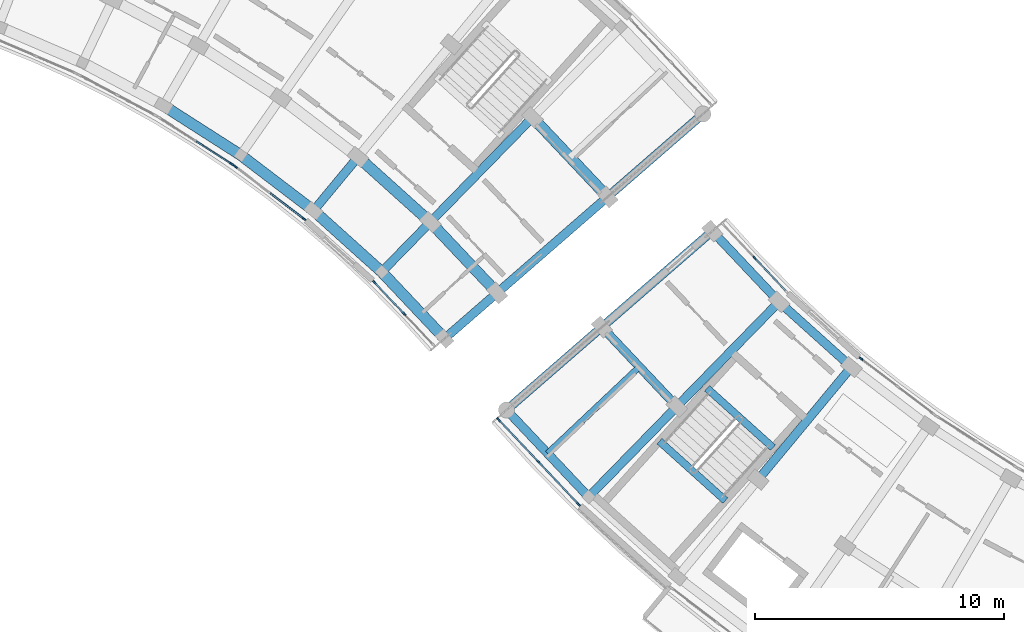
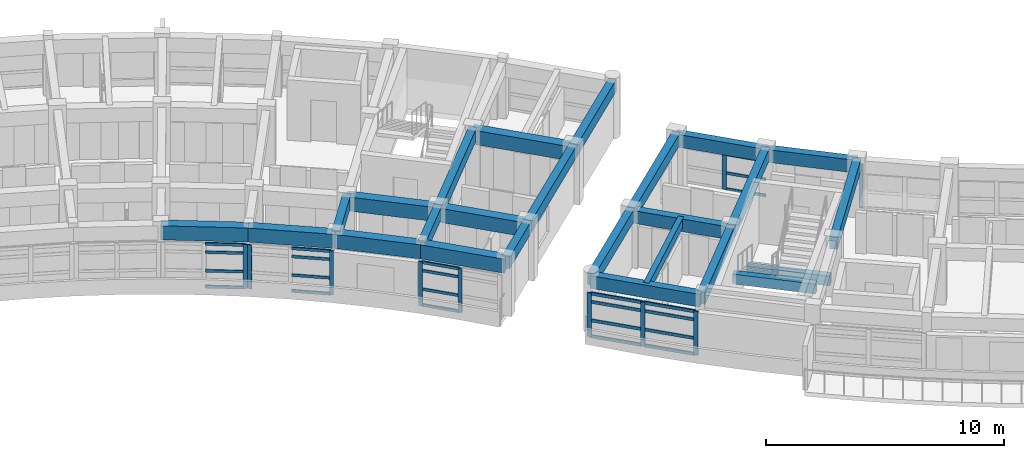
# One storey, part 15 of 50: 33 members, 25 beams, 6 elements without a shape of their own.
"""IFC4 building model written with IfcOpenShell, lengths in metres."""

from ifc_helpers import new_model, si_unit, direction, frame, origin, origin_2d, place, context, subcontext, project, spatial, rectangle, extrude, material, material_profile, profile_set, type_object, element, aggregate, save


model = new_model("IFC4")

# Units and contexts
model_context = context("Model", 3, precision=1e-05, world=origin(), true_north=direction((0.0, 1.0)))
body_context = subcontext(model_context, "Body", "Model", "MODEL_VIEW")
ifc_project = project(units=[si_unit("LENGTHUNIT", "METRE"), si_unit("AREAUNIT", "SQUARE_METRE"), si_unit("VOLUMEUNIT", "CUBIC_METRE"), si_unit("PLANEANGLEUNIT", "RADIAN"), si_unit("MASSUNIT", "GRAM", prefix="KILO")], contexts=[model_context])

# Site, building, storey
site_placement = place(None, origin())
site = spatial("IfcSite", under=ifc_project, at=site_placement, CompositionType="ELEMENT")
building_placement = place(site_placement, origin())
building = spatial("IfcBuilding", under=site, at=building_placement, Name="Zimvara Arc Housing Community", CompositionType="ELEMENT")
storey_placement = place(building_placement, frame((0.0, 0.0, 26.699951171875)))
storey = spatial("IfcBuildingStorey", under=building, at=storey_placement, Name="L08", CompositionType="ELEMENT", Elevation=26.699951171875)

# Beams
ifc_material_1 = material(Name="Concrete C40/50", Category="concrete")
ifc_material_profile_1 = material_profile(ifc_material_1, rectangle(XDim=0.25, YDim=0.449951171875, at=origin_2d()), Name="RC 250x450")
ifc_profile_set_1 = profile_set([ifc_material_profile_1], Name="Concrete C40/50")
beam_type_1 = type_object("IfcBeamType", Name="BM-RC-250x450", PredefinedType="JOIST", material=ifc_profile_set_1)
beam_1_placement = place(storey_placement, frame((86.88427734375, 72.966552734375, 2.655029296875), z_axis=(-0.727299876429, -0.686319815936, 0.0), x_axis=(0.686319815936, -0.727299876429, 0.0)))
element("IfcBeam", 1, at=beam_1_placement, inside=storey, type_object=beam_type_1, Name="bm:blkC:L08:joist:b0", PredefinedType="JOIST", context=body_context, shape_type="SweptSolid", body=[
    extrude(rectangle(XDim=0.25, YDim=0.449951171875, at=origin_2d()), origin(), (0.0, 0.0, 1.0), 5.075927734375),
])
ifc_material_2 = material(Name="Concrete C40/50", Category="concrete")
ifc_material_profile_2 = material_profile(ifc_material_2, rectangle(XDim=0.300048828125, YDim=0.5, at=origin_2d()), Name="RC 300x500")
ifc_profile_set_2 = profile_set([ifc_material_profile_2], Name="Concrete C40/50")
beam_type_2 = type_object("IfcBeamType", Name="BM-RC-300x500", PredefinedType="BEAM", material=ifc_profile_set_2)
beam_2_placement = place(storey_placement, frame((89.604248046875, 72.100830078125, -0.25), z_axis=(0.743396155404, -0.668851370732, 0.0), x_axis=(0.668851370732, 0.743396155404, 0.0)))
element("IfcBeam", 2, at=beam_2_placement, inside=storey, type_object=beam_type_2, Name="bm:stair_trim:ST-C1:L08:near", PredefinedType="BEAM", context=body_context, shape_type="SweptSolid", body=[
    extrude(rectangle(XDim=0.300048828125, YDim=0.5, at=origin_2d()), origin(), (0.0, 0.0, 1.0), 3.56982421875),
])
beam_3_placement = place(storey_placement, frame((87.68994140625, 69.973388671875, 1.300048828125), z_axis=(0.743362151162, -0.668889162881, 0.0), x_axis=(0.668889162881, 0.743362151162, 0.0)))
element("IfcBeam", 3, at=beam_3_placement, inside=storey, type_object=beam_type_2, Name="bm:stair_trim:ST-C1:L08:mid", PredefinedType="BEAM", context=body_context, shape_type="SweptSolid", body=[
    extrude(rectangle(XDim=0.300048828125, YDim=0.5, at=origin_2d()), origin(), (0.0, 0.0, 1.0), 3.570068359375),
])
ifc_material_3 = material(Name="Concrete C40/50", Category="concrete")
ifc_material_profile_3 = material_profile(ifc_material_3, rectangle(XDim=0.35009765625, YDim=0.60009765625, at=origin_2d()), Name="RC 350x600")
ifc_profile_set_3 = profile_set([ifc_material_profile_3], Name="Concrete C40/50")
beam_type_3 = type_object("IfcBeamType", Name="BM-RC-350x600", PredefinedType="BEAM", material=ifc_profile_set_3)
for number, where, z_axis, x_axis, name in (
    (4, (73.784912109375, 79.245361328125, 2.580078125), (0.637917412223, 0.770104781951, 0.0), (-0.770104781951, 0.637917412223, 0.0), "bm:blkB:L08:rad:b8:r01"),
    (5, (76.523681640625, 76.781005859375, 2.580078125), (0.698643013894, 0.71547043205, 0.0), (-0.71547043205, 0.698643013894, 0.0), "bm:blkB:L08:rad:b9:r01"),
):
    element("IfcBeam", number, at=place(storey_placement, frame(where, z_axis=z_axis, x_axis=x_axis)), inside=storey, type_object=beam_type_3, Name=name, PredefinedType="BEAM", context=body_context, shape_type="SweptSolid", body=[
        extrude(rectangle(XDim=0.35009765625, YDim=0.60009765625, at=origin_2d()), origin(), (0.0, 0.0, 1.0), 2.800048828125),
    ])
beam_4_placement = place(storey_placement, frame((78.47998046875, 78.784423828125, 2.580078125), z_axis=(0.698669844288, 0.715444231707, 0.0), x_axis=(-0.715444231707, 0.698669844288, 0.0)))
element("IfcBeam", 6, at=beam_4_placement, inside=storey, type_object=beam_type_3, Name="bm:blkB:L08:rad:b9:r12", PredefinedType="BEAM", context=body_context, shape_type="SweptSolid", body=[
    extrude(rectangle(XDim=0.35009765625, YDim=0.60009765625, at=origin_2d()), origin(), (0.0, 0.0, 1.0), 5.8798828125),
])
beam_5_placement = place(storey_placement, frame((79.052490234375, 74.101318359375, 2.580078125), z_axis=(0.754733151583, 0.656031912259, 0.0), x_axis=(-0.656031912259, 0.754733151583, 0.0)))
element("IfcBeam", 7, at=beam_5_placement, inside=storey, type_object=beam_type_3, Name="bm:blkB:L08:rad:b10:r01", PredefinedType="BEAM", context=body_context, shape_type="SweptSolid", body=[
    extrude(rectangle(XDim=0.35009765625, YDim=0.60009765625, at=origin_2d()), origin(), (0.0, 0.0, 1.0), 2.800048828125),
])
beam_6_placement = place(storey_placement, frame((81.165771484375, 75.938232421875, 2.580078125), z_axis=(0.754692223258, 0.656078995362, 0.0), x_axis=(-0.656078995362, 0.754692223258, 0.0)))
element("IfcBeam", 8, at=beam_6_placement, inside=storey, type_object=beam_type_3, Name="bm:blkB:L08:rad:b10:r12", PredefinedType="BEAM", context=body_context, shape_type="SweptSolid", body=[
    extrude(rectangle(XDim=0.35009765625, YDim=0.60009765625, at=origin_2d()), origin(), (0.0, 0.0, 1.0), 5.8798828125),
])
beam_7_placement = place(storey_placement, frame((85.603271484375, 79.7958984375, 2.580078125), z_axis=(0.754716217499, 0.656051393599, 0.0), x_axis=(-0.656051393599, 0.754716217499, 0.0)))
element("IfcBeam", 9, at=beam_7_placement, inside=storey, type_object=beam_type_3, Name="bm:blkB:L08:rad:b10:r23", PredefinedType="BEAM", context=body_context, shape_type="SweptSolid", body=[
    extrude(rectangle(XDim=0.35009765625, YDim=0.60009765625, at=origin_2d()), origin(), (0.0, 0.0, 1.0), 5.080078125),
])
beam_8_placement = place(storey_placement, frame((89.814208984375, 78.421630859375, 2.580078125), z_axis=(-0.754692223258, -0.656078995362, 0.0), x_axis=(0.656078995362, -0.754692223258, 0.0)))
element("IfcBeam", 10, at=beam_8_placement, inside=storey, type_object=beam_type_3, Name="bm:blkC:L08:rad:b0:r12", PredefinedType="BEAM", context=body_context, shape_type="SweptSolid", body=[
    extrude(rectangle(XDim=0.35009765625, YDim=0.60009765625, at=origin_2d()), origin(), (0.0, 0.0, 1.0), 5.8798828125),
])
beam_9_placement = place(storey_placement, frame((85.376708984375, 74.56396484375, 2.580078125), z_axis=(-0.754716217499, -0.656051393599, 0.0), x_axis=(0.656051393599, -0.754716217499, 0.0)))
element("IfcBeam", 11, at=beam_9_placement, inside=storey, type_object=beam_type_3, Name="bm:blkC:L08:rad:b0:r23", PredefinedType="BEAM", context=body_context, shape_type="SweptSolid", body=[
    extrude(rectangle(XDim=0.35009765625, YDim=0.60009765625, at=origin_2d()), origin(), (0.0, 0.0, 1.0), 5.080078125),
])
beam_10_placement = place(storey_placement, frame((92.5, 75.57568359375, 2.580078125), z_axis=(-0.698669844288, -0.715444231707, 0.0), x_axis=(0.715444231707, -0.698669844288, 0.0)))
element("IfcBeam", 12, at=beam_10_placement, inside=storey, type_object=beam_type_3, Name="bm:blkC:L08:rad:b1:r12", PredefinedType="BEAM", context=body_context, shape_type="SweptSolid", body=[
    extrude(rectangle(XDim=0.35009765625, YDim=0.60009765625, at=origin_2d()), origin(), (0.0, 0.0, 1.0), 5.8798828125),
])
beam_11_placement = place(storey_placement, frame((88.391845703125, 71.368896484375, 2.580078125), z_axis=(-0.698670885014, -0.71544321538, 0.0), x_axis=(0.71544321538, -0.698670885014, 0.0)))
element("IfcBeam", 13, at=beam_11_placement, inside=storey, type_object=beam_type_3, Name="bm:blkC:L08:rad:b1:r23", PredefinedType="BEAM", context=body_context, shape_type="SweptSolid", body=[
    extrude(rectangle(XDim=0.35009765625, YDim=0.60009765625, at=origin_2d()), origin(), (0.0, 0.0, 1.0), 5.080078125),
])
beam_12_placement = place(storey_placement, frame((95.408935546875, 72.958251953125, 2.580078125), z_axis=(-0.637976362518, -0.770055946583, 0.0), x_axis=(0.770055946583, -0.637976362518, 0.0)))
element("IfcBeam", 14, at=beam_12_placement, inside=storey, type_object=beam_type_3, Name="bm:blkC:L08:rad:b2:r12", PredefinedType="BEAM", context=body_context, shape_type="SweptSolid", body=[
    extrude(rectangle(XDim=0.35009765625, YDim=0.60009765625, at=origin_2d()), origin(), (0.0, 0.0, 1.0), 5.8798828125),
])
ifc_material_4 = material(Name="Concrete C40/50", Category="concrete")
ifc_material_profile_4 = material_profile(ifc_material_4, rectangle(XDim=0.35009765625, YDim=0.64990234375, at=origin_2d()), Name="RC 350x650")
ifc_profile_set_4 = profile_set([ifc_material_profile_4], Name="Concrete C40/50")
beam_type_4 = type_object("IfcBeamType", Name="BM-RC-350x650", PredefinedType="BEAM", material=ifc_profile_set_4)
for number, where, z_axis, x_axis, name in (
    (15, (89.814208984375, 78.421630859375, 2.554931640625), (0.686346852505, -0.727274362299, 0.0), (0.727274362299, 0.686346852505, 0.0), "bm:blkC:L08:chord:r1:b0"),
    (16, (92.5, 75.57568359375, 2.554931640625), (0.743371697344, -0.668878553691, 0.0), (0.668878553691, 0.743371697344, 0.0), "bm:blkC:L08:chord:r1:b1"),
):
    element("IfcBeam", number, at=place(storey_placement, frame(where, z_axis=z_axis, x_axis=x_axis)), inside=storey, type_object=beam_type_4, Name=name, PredefinedType="BEAM", context=body_context, shape_type="SweptSolid", body=[
        extrude(rectangle(XDim=0.35009765625, YDim=0.64990234375, at=origin_2d()), origin(), (0.0, 0.0, 1.0), 3.9130859375),
    ])
beam_13_placement = place(storey_placement, frame((85.376708984375, 74.56396484375, 2.554931640625), z_axis=(0.686331377274, -0.727288966347, 0.0), x_axis=(0.727288966347, 0.686331377274, 0.0)))
element("IfcBeam", 17, at=beam_13_placement, inside=storey, type_object=beam_type_4, Name="bm:blkC:L08:chord:r2:b0", PredefinedType="BEAM", context=body_context, shape_type="SweptSolid", body=[
    extrude(rectangle(XDim=0.35009765625, YDim=0.64990234375, at=origin_2d()), origin(), (0.0, 0.0, 1.0), 4.39306640625),
])
beam_14_placement = place(storey_placement, frame((81.542724609375, 71.231201171875, 2.554931640625), z_axis=(0.686320791145, -0.727298956168, 0.0), x_axis=(0.727298956168, 0.686320791145, 0.0)))
element("IfcBeam", 18, at=beam_14_placement, inside=storey, type_object=beam_type_4, Name="bm:blkC:L08:chord:r3:b0", PredefinedType="BEAM", context=body_context, shape_type="SweptSolid", body=[
    extrude(rectangle(XDim=0.35009765625, YDim=0.64990234375, at=origin_2d()), origin(), (0.0, 0.0, 1.0), 4.807861328125),
])
ifc_material_5 = material(Name="Concrete C40/50", Category="concrete")
ifc_material_profile_5 = material_profile(ifc_material_5, rectangle(XDim=0.43994140625, YDim=0.719970703125, at=origin_2d()), Name="RC 440x720")
ifc_profile_set_5 = profile_set([ifc_material_profile_5], Name="Concrete C40/50")
beam_type_5 = type_object("IfcBeamType", Name="BM-RC-440x720", PredefinedType="BEAM", material=ifc_profile_set_5)
beam_15_placement = place(storey_placement, frame((67.750732421875, 83.46435546875, 2.52001953125), z_axis=(0.842272604079, -0.539051816079, 0.0), x_axis=(0.539051816079, 0.842272604079, 0.0)))
element("IfcBeam", 19, at=beam_15_placement, inside=storey, type_object=beam_type_5, Name="bm:blkB:L08:chord:r0:b6", PredefinedType="BEAM", context=body_context, shape_type="SweptSolid", body=[
    extrude(rectangle(XDim=0.43994140625, YDim=0.719970703125, at=origin_2d()), origin(), (0.0, 0.0, 1.0), 3.684326171875),
])
beam_16_placement = place(storey_placement, frame((70.85400390625, 81.478271484375, 2.52001953125), z_axis=(0.795453014049, -0.606015265847, 0.0), x_axis=(0.606015265847, 0.795453014049, 0.0)))
element("IfcBeam", 20, at=beam_16_placement, inside=storey, type_object=beam_type_5, Name="bm:blkB:L08:chord:r0:b7", PredefinedType="BEAM", context=body_context, shape_type="SweptSolid", body=[
    extrude(rectangle(XDim=0.43994140625, YDim=0.719970703125, at=origin_2d()), origin(), (0.0, 0.0, 1.0), 3.6845703125),
])
beam_17_placement = place(storey_placement, frame((73.784912109375, 79.245361328125, 2.52001953125), z_axis=(0.743366631239, -0.668884183966, 0.0), x_axis=(0.668884183966, 0.743366631239, 0.0)))
element("IfcBeam", 21, at=beam_17_placement, inside=storey, type_object=beam_type_5, Name="bm:blkB:L08:chord:r0:b8", PredefinedType="BEAM", context=body_context, shape_type="SweptSolid", body=[
    extrude(rectangle(XDim=0.43994140625, YDim=0.719970703125, at=origin_2d()), origin(), (0.0, 0.0, 1.0), 3.684326171875),
])
beam_18_placement = place(storey_placement, frame((76.523681640625, 76.781005859375, 2.52001953125), z_axis=(0.686335517678, -0.727285059088, 0.0), x_axis=(0.727285059088, 0.686335517678, 0.0)))
element("IfcBeam", 22, at=beam_18_placement, inside=storey, type_object=beam_type_5, Name="bm:blkB:L08:chord:r0:b9", PredefinedType="BEAM", context=body_context, shape_type="SweptSolid", body=[
    extrude(rectangle(XDim=0.43994140625, YDim=0.719970703125, at=origin_2d()), origin(), (0.0, 0.0, 1.0), 3.6845703125),
])
beam_19_placement = place(storey_placement, frame((75.571044921875, 81.401611328125, 2.52001953125), z_axis=(0.743402719516, -0.668844074965, 0.0), x_axis=(0.668844074965, 0.743402719516, 0.0)))
element("IfcBeam", 23, at=beam_19_placement, inside=storey, type_object=beam_type_5, Name="bm:blkB:L08:chord:r1:b8", PredefinedType="BEAM", context=body_context, shape_type="SweptSolid", body=[
    extrude(rectangle(XDim=0.43994140625, YDim=0.719970703125, at=origin_2d()), origin(), (0.0, 0.0, 1.0), 3.9130859375),
])
beam_20_placement = place(storey_placement, frame((78.47998046875, 78.784423828125, 2.52001953125), z_axis=(0.686315710793, -0.727303750243, 0.0), x_axis=(0.727303750243, 0.686315710793, 0.0)))
element("IfcBeam", 24, at=beam_20_placement, inside=storey, type_object=beam_type_5, Name="bm:blkB:L08:chord:r1:b9", PredefinedType="BEAM", context=body_context, shape_type="SweptSolid", body=[
    extrude(rectangle(XDim=0.43994140625, YDim=0.719970703125, at=origin_2d()), origin(), (0.0, 0.0, 1.0), 3.913330078125),
])
beam_21_placement = place(storey_placement, frame((82.588134765625, 82.9912109375, 2.52001953125), z_axis=(0.686303637813, -0.727315142648, 0.0), x_axis=(0.727315142648, 0.686303637813, 0.0)))
element("IfcBeam", 25, at=beam_21_placement, inside=storey, type_object=beam_type_5, Name="bm:blkB:L08:chord:r2:b9", PredefinedType="BEAM", context=body_context, shape_type="SweptSolid", body=[
    extrude(rectangle(XDim=0.43994140625, YDim=0.719970703125, at=origin_2d()), origin(), (0.0, 0.0, 1.0), 4.393310546875),
])

# Curtain wall, member
ifc_material_6 = material(Name="Anodised Aluminium AW-6063", Category="aluminium")
curtain_wall_type_1 = type_object("IfcCurtainWallType", Name="CW-SYS-06", PredefinedType="USERDEFINED", material=ifc_material_6)
curtain_wall_1_placement = place(storey_placement, origin())
curtain_wall_1 = element("IfcCurtainWall", 26, at=curtain_wall_1_placement, inside=storey, type_object=curtain_wall_type_1, Name="cw:blkB:L08:in:b6", ObjectType="CURTAIN WALL", PredefinedType="USERDEFINED")
ifc_material_7 = material(Name="Anodised Aluminium AW-6063", Category="aluminium")
ifc_material_profile_6 = material_profile(ifc_material_7, rectangle(XDim=0.06494140625, YDim=0.179931640625, at=origin_2d()), Name="ALU 65x180")
ifc_profile_set_6 = profile_set([ifc_material_profile_6], Name="Anodised Aluminium AW-6063")
member_type_1 = type_object("IfcMemberType", Name="CWM-65x150", PredefinedType="MULLION", material=ifc_profile_set_6)
member_1_placement = place(storey_placement, frame((70.489501953125, 81.118408203125, 0.0), z_axis=(0.0, 0.0, 1.0), x_axis=(0.539064085203, 0.842264751752, 0.0)))
member_1 = element("IfcMember", 27, at=member_1_placement, type_object=member_type_1, Name="CW06 mullion 3", PredefinedType="MULLION", context=body_context, shape_type="SweptSolid", body=[
    extrude(rectangle(XDim=0.06494140625, YDim=0.179931640625, at=origin_2d()), origin(), (0.0, 0.0, 1.0), 2.25),
])

# Curtain wall, members
ifc_material_8 = material(Name="Anodised Aluminium AW-6063", Category="aluminium")
curtain_wall_type_2 = type_object("IfcCurtainWallType", Name="CW-SYS-08", PredefinedType="USERDEFINED", material=ifc_material_8)
curtain_wall_2_placement = place(storey_placement, origin())
curtain_wall_2 = element("IfcCurtainWall", 28, at=curtain_wall_2_placement, inside=storey, type_object=curtain_wall_type_2, Name="cw:blkB:L08:in:b7", ObjectType="CURTAIN WALL", PredefinedType="USERDEFINED")
member_2_placement = place(storey_placement, frame((70.64111328125, 81.012451171875, 0.0), z_axis=(0.0, 0.0, 1.0), x_axis=(0.605988318533, 0.795473543119, 0.0)))
member_2 = element("IfcMember", 29, at=member_2_placement, type_object=member_type_1, Name="CW08 mullion 1", PredefinedType="MULLION", context=body_context, shape_type="SweptSolid", body=[
    extrude(rectangle(XDim=0.06494140625, YDim=0.179931640625, at=origin_2d()), origin(), (0.0, 0.0, 1.0), 2.25),
])
member_3_placement = place(storey_placement, frame((73.392333984375, 78.91650390625, 0.0), z_axis=(0.0, 0.0, 1.0), x_axis=(0.605988318533, 0.795473543119, 0.0)))
member_3 = element("IfcMember", 30, at=member_3_placement, type_object=member_type_1, Name="CW08 mullion 3", PredefinedType="MULLION", context=body_context, shape_type="SweptSolid", body=[
    extrude(rectangle(XDim=0.06494140625, YDim=0.179931640625, at=origin_2d()), origin(), (0.0, 0.0, 1.0), 2.25),
])

ifc_material_9 = material(Name="Anodised Aluminium AW-6063", Category="aluminium")
curtain_wall_type_3 = type_object("IfcCurtainWallType", Name="CW-SYS-02", PredefinedType="USERDEFINED", material=ifc_material_9)
curtain_wall_3_placement = place(storey_placement, origin())
curtain_wall_3 = element("IfcCurtainWall", 31, at=curtain_wall_3_placement, inside=storey, type_object=curtain_wall_type_3, Name="cw:blkB:L08:in:b9", ObjectType="CURTAIN WALL", PredefinedType="USERDEFINED")
member_4_placement = place(storey_placement, frame((76.238037109375, 76.35595703125, 0.0), z_axis=(0.0, 0.0, 1.0), x_axis=(0.727293280483, 0.686326805658, 0.0)))
member_4 = element("IfcMember", 32, at=member_4_placement, type_object=member_type_1, Name="CW02 mullion 1", PredefinedType="MULLION", context=body_context, shape_type="SweptSolid", body=[
    extrude(rectangle(XDim=0.06494140625, YDim=0.179931640625, at=origin_2d()), origin(), (0.0, 0.0, 1.0), 2.25),
])
member_5_placement = place(storey_placement, frame((77.4248046875, 75.098388671875, 0.0), z_axis=(0.0, 0.0, 1.0), x_axis=(0.727293280483, 0.686326805658, 0.0)))
member_5 = element("IfcMember", 33, at=member_5_placement, type_object=member_type_1, Name="CW02 mullion 2", PredefinedType="MULLION", context=body_context, shape_type="SweptSolid", body=[
    extrude(rectangle(XDim=0.06494140625, YDim=0.179931640625, at=origin_2d()), origin(), (0.0, 0.0, 1.0), 2.25),
])

# Curtain wall, member
curtain_wall_4_placement = place(storey_placement, origin())
curtain_wall_4 = element("IfcCurtainWall", 34, at=curtain_wall_4_placement, inside=storey, type_object=curtain_wall_type_2, Name="cw:blkC:L08:in:b0", ObjectType="CURTAIN WALL", PredefinedType="USERDEFINED")
member_6_placement = place(storey_placement, frame((91.5205078125, 77.341552734375, 0.0), z_axis=(0.0, 0.0, 1.0), x_axis=(0.727293723669, 0.686326336018, 0.0)))
member_6 = element("IfcMember", 35, at=member_6_placement, type_object=member_type_1, Name="CW08 mullion 2", PredefinedType="MULLION", context=body_context, shape_type="SweptSolid", body=[
    extrude(rectangle(XDim=0.06494140625, YDim=0.179931640625, at=origin_2d()), origin(), (0.0, 0.0, 1.0), 2.25),
])

curtain_wall_5_placement = place(storey_placement, origin())
curtain_wall_5 = element("IfcCurtainWall", 36, at=curtain_wall_5_placement, inside=storey, type_object=curtain_wall_type_3, Name="cw:blkC:L08:in:b2", ObjectType="CURTAIN WALL", PredefinedType="USERDEFINED")
member_7_placement = place(storey_placement, frame((95.801513671875, 73.287353515625, 0.0), z_axis=(0.0, 0.0, 1.0), x_axis=(0.605987809503, 0.795473930895, 0.0)))
member_7 = element("IfcMember", 37, at=member_7_placement, type_object=member_type_1, Name="CW02 mullion 1", PredefinedType="MULLION", context=body_context, shape_type="SweptSolid", body=[
    extrude(rectangle(XDim=0.06494140625, YDim=0.179931640625, at=origin_2d()), origin(), (0.0, 0.0, 1.0), 2.25),
])
aggregate(curtain_wall_5, [member_7])

# Curtain wall, members
ifc_material_10 = material(Name="Anodised Aluminium AW-6063", Category="aluminium")
curtain_wall_type_4 = type_object("IfcCurtainWallType", Name="CW-SYS-07", PredefinedType="USERDEFINED", material=ifc_material_10)
curtain_wall_6_placement = place(storey_placement, origin())
curtain_wall_6 = element("IfcCurtainWall", 38, at=curtain_wall_6_placement, inside=storey, type_object=curtain_wall_type_4, Name="cw:blkC:L08:out:b0", ObjectType="CURTAIN WALL", PredefinedType="USERDEFINED")
ifc_material_11 = material(Name="Anodised Aluminium AW-6063", Category="aluminium")
ifc_material_profile_7 = material_profile(ifc_material_11, rectangle(XDim=0.06494140625, YDim=0.195068359375, at=origin_2d()), Name="ALU 65x195")
ifc_profile_set_7 = profile_set([ifc_material_profile_7], Name="Anodised Aluminium AW-6063")
member_type_2 = type_object("IfcMemberType", Name="CWM-65x180", PredefinedType="MULLION", material=ifc_profile_set_7)
member_8_placement = place(storey_placement, frame((81.228759765625, 70.8359375, 0.0), z_axis=(0.0, 0.0, 1.0), x_axis=(0.727293647725, 0.686326416495, 0.0)))
member_8 = element("IfcMember", 39, at=member_8_placement, type_object=member_type_2, Name="CW07 mullion 1", PredefinedType="MULLION", context=body_context, shape_type="SweptSolid", body=[
    extrude(rectangle(XDim=0.06494140625, YDim=0.195068359375, at=origin_2d()), origin(), (0.0, 0.0, 1.0), 2.25),
])
member_9_placement = place(storey_placement, frame((82.829345703125, 69.139892578125, 0.0), z_axis=(0.0, 0.0, 1.0), x_axis=(0.727293647725, 0.686326416495, 0.0)))
member_9 = element("IfcMember", 40, at=member_9_placement, type_object=member_type_2, Name="CW07 mullion 2", PredefinedType="MULLION", context=body_context, shape_type="SweptSolid", body=[
    extrude(rectangle(XDim=0.06494140625, YDim=0.195068359375, at=origin_2d()), origin(), (0.0, 0.0, 1.0), 2.25),
])
member_10_placement = place(storey_placement, frame((84.4296875, 67.44384765625, 0.0), z_axis=(0.0, 0.0, 1.0), x_axis=(0.727293647725, 0.686326416495, 0.0)))
member_10 = element("IfcMember", 41, at=member_10_placement, type_object=member_type_2, Name="CW07 mullion 3", PredefinedType="MULLION", context=body_context, shape_type="SweptSolid", body=[
    extrude(rectangle(XDim=0.06494140625, YDim=0.195068359375, at=origin_2d()), origin(), (0.0, 0.0, 1.0), 2.25),
])

# Member
ifc_material_12 = material(Name="Anodised Aluminium AW-6063", Category="aluminium")
ifc_material_profile_8 = material_profile(ifc_material_12, rectangle(XDim=0.06494140625, YDim=0.139892578125, at=origin_2d()), Name="ALU 65x140")
ifc_profile_set_8 = profile_set([ifc_material_profile_8], Name="Anodised Aluminium AW-6063")
member_type_3 = type_object("IfcMemberType", Name="CWT-65x120", PredefinedType="USERDEFINED", material=ifc_profile_set_8)
member_11_placement = place(storey_placement, frame((69.060302734375, 82.032958984375, 0.032470703125), z_axis=(0.842263408668, -0.539066183709, 0.0), x_axis=(0.539066183709, 0.842263408668, 0.0)))
member_11 = element("IfcMember", 42, at=member_11_placement, type_object=member_type_3, Name="CW06 transom 2.1", ObjectType="TRANSOM", PredefinedType="USERDEFINED", context=body_context, shape_type="SweptSolid", body=[
    extrude(rectangle(XDim=0.06494140625, YDim=0.139892578125, at=origin_2d()), origin(), (0.0, 0.0, 1.0), 1.664306640625),
])

member_12_placement = place(storey_placement, frame((69.060302734375, 82.032958984375, 0.85009765625), z_axis=(0.842263408668, -0.539066183709, 0.0), x_axis=(0.539066183709, 0.842263408668, 0.0)))
member_12 = element("IfcMember", 43, at=member_12_placement, type_object=member_type_3, Name="CW06 transom 2.2", ObjectType="TRANSOM", PredefinedType="USERDEFINED", context=body_context, shape_type="SweptSolid", body=[
    extrude(rectangle(XDim=0.06494140625, YDim=0.139892578125, at=origin_2d()), origin(), (0.0, 0.0, 1.0), 1.664306640625),
])

member_13_placement = place(storey_placement, frame((69.060302734375, 82.032958984375, 1.800048828125), z_axis=(0.842263408668, -0.539066183709, 0.0), x_axis=(0.539066183709, 0.842263408668, 0.0)))
member_13 = element("IfcMember", 44, at=member_13_placement, type_object=member_type_3, Name="CW06 transom 2.3", ObjectType="TRANSOM", PredefinedType="USERDEFINED", context=body_context, shape_type="SweptSolid", body=[
    extrude(rectangle(XDim=0.06494140625, YDim=0.139892578125, at=origin_2d()), origin(), (0.0, 0.0, 1.0), 1.664306640625),
])

member_14_placement = place(storey_placement, frame((69.060302734375, 82.032958984375, 2.217529296875), z_axis=(0.842263408668, -0.539066183709, 0.0), x_axis=(0.539066183709, 0.842263408668, 0.0)))
member_14 = element("IfcMember", 45, at=member_14_placement, type_object=member_type_3, Name="CW06 transom 2.4", ObjectType="TRANSOM", PredefinedType="USERDEFINED", context=body_context, shape_type="SweptSolid", body=[
    extrude(rectangle(XDim=0.06494140625, YDim=0.139892578125, at=origin_2d()), origin(), (0.0, 0.0, 1.0), 1.664306640625),
])

aggregate(curtain_wall_1, [member_1, member_11, member_12, member_13, member_14])

member_15_placement = place(storey_placement, frame((72.04248046875, 79.94482421875, 0.032470703125), z_axis=(0.795488960577, -0.605968079687, 0.0), x_axis=(0.605968079687, 0.795488960577, 0.0)))
member_15 = element("IfcMember", 46, at=member_15_placement, type_object=member_type_3, Name="CW08 transom 2.1", ObjectType="TRANSOM", PredefinedType="USERDEFINED", context=body_context, shape_type="SweptSolid", body=[
    extrude(rectangle(XDim=0.06494140625, YDim=0.139892578125, at=origin_2d()), origin(), (0.0, 0.0, 1.0), 1.664306640625),
])

member_16_placement = place(storey_placement, frame((72.04248046875, 79.94482421875, 0.85009765625), z_axis=(0.795488960577, -0.605968079687, 0.0), x_axis=(0.605968079687, 0.795488960577, 0.0)))
member_16 = element("IfcMember", 47, at=member_16_placement, type_object=member_type_3, Name="CW08 transom 2.2", ObjectType="TRANSOM", PredefinedType="USERDEFINED", context=body_context, shape_type="SweptSolid", body=[
    extrude(rectangle(XDim=0.06494140625, YDim=0.139892578125, at=origin_2d()), origin(), (0.0, 0.0, 1.0), 1.664306640625),
])

member_17_placement = place(storey_placement, frame((72.04248046875, 79.94482421875, 1.800048828125), z_axis=(0.795488960577, -0.605968079687, 0.0), x_axis=(0.605968079687, 0.795488960577, 0.0)))
member_17 = element("IfcMember", 48, at=member_17_placement, type_object=member_type_3, Name="CW08 transom 2.3", ObjectType="TRANSOM", PredefinedType="USERDEFINED", context=body_context, shape_type="SweptSolid", body=[
    extrude(rectangle(XDim=0.06494140625, YDim=0.139892578125, at=origin_2d()), origin(), (0.0, 0.0, 1.0), 1.664306640625),
])

member_18_placement = place(storey_placement, frame((72.04248046875, 79.94482421875, 2.217529296875), z_axis=(0.795488960577, -0.605968079687, 0.0), x_axis=(0.605968079687, 0.795488960577, 0.0)))
member_18 = element("IfcMember", 49, at=member_18_placement, type_object=member_type_3, Name="CW08 transom 2.4", ObjectType="TRANSOM", PredefinedType="USERDEFINED", context=body_context, shape_type="SweptSolid", body=[
    extrude(rectangle(XDim=0.06494140625, YDim=0.139892578125, at=origin_2d()), origin(), (0.0, 0.0, 1.0), 1.664306640625),
])

aggregate(curtain_wall_2, [member_2, member_3, member_15, member_16, member_17, member_18])

member_19_placement = place(storey_placement, frame((76.26025390625, 76.33251953125, 0.032470703125), z_axis=(0.686347817597, -0.727273451516, 0.0), x_axis=(0.727273451516, 0.686347817597, 0.0)))
member_19 = element("IfcMember", 50, at=member_19_placement, type_object=member_type_3, Name="CW02 transom 1.1", ObjectType="TRANSOM", PredefinedType="USERDEFINED", context=body_context, shape_type="SweptSolid", body=[
    extrude(rectangle(XDim=0.06494140625, YDim=0.139892578125, at=origin_2d()), origin(), (0.0, 0.0, 1.0), 1.664306640625),
])

member_20_placement = place(storey_placement, frame((76.26025390625, 76.33251953125, 0.85009765625), z_axis=(0.686347817597, -0.727273451516, 0.0), x_axis=(0.727273451516, 0.686347817597, 0.0)))
member_20 = element("IfcMember", 51, at=member_20_placement, type_object=member_type_3, Name="CW02 transom 1.2", ObjectType="TRANSOM", PredefinedType="USERDEFINED", context=body_context, shape_type="SweptSolid", body=[
    extrude(rectangle(XDim=0.06494140625, YDim=0.139892578125, at=origin_2d()), origin(), (0.0, 0.0, 1.0), 1.664306640625),
])

member_21_placement = place(storey_placement, frame((76.26025390625, 76.33251953125, 1.800048828125), z_axis=(0.686347817597, -0.727273451516, 0.0), x_axis=(0.727273451516, 0.686347817597, 0.0)))
member_21 = element("IfcMember", 52, at=member_21_placement, type_object=member_type_3, Name="CW02 transom 1.3", ObjectType="TRANSOM", PredefinedType="USERDEFINED", context=body_context, shape_type="SweptSolid", body=[
    extrude(rectangle(XDim=0.06494140625, YDim=0.139892578125, at=origin_2d()), origin(), (0.0, 0.0, 1.0), 1.664306640625),
])

member_22_placement = place(storey_placement, frame((76.26025390625, 76.33251953125, 2.217529296875), z_axis=(0.686347817597, -0.727273451516, 0.0), x_axis=(0.727273451516, 0.686347817597, 0.0)))
member_22 = element("IfcMember", 53, at=member_22_placement, type_object=member_type_3, Name="CW02 transom 1.4", ObjectType="TRANSOM", PredefinedType="USERDEFINED", context=body_context, shape_type="SweptSolid", body=[
    extrude(rectangle(XDim=0.06494140625, YDim=0.139892578125, at=origin_2d()), origin(), (0.0, 0.0, 1.0), 1.664306640625),
])

aggregate(curtain_wall_3, [member_4, member_5, member_19, member_20, member_21, member_22])

member_23_placement = place(storey_placement, frame((91.542724609375, 77.31787109375, 0.032470703125), z_axis=(0.686357453501, -0.72726435773, 0.0), x_axis=(0.72726435773, 0.686357453501, 0.0)))
member_23 = element("IfcMember", 54, at=member_23_placement, type_object=member_type_3, Name="CW08 transom 2.1", ObjectType="TRANSOM", PredefinedType="USERDEFINED", context=body_context, shape_type="SweptSolid", body=[
    extrude(rectangle(XDim=0.06494140625, YDim=0.139892578125, at=origin_2d()), origin(), (0.0, 0.0, 1.0), 1.778564453125),
])

member_24_placement = place(storey_placement, frame((91.542724609375, 77.31787109375, 0.85009765625), z_axis=(0.686357453501, -0.72726435773, 0.0), x_axis=(0.72726435773, 0.686357453501, 0.0)))
member_24 = element("IfcMember", 55, at=member_24_placement, type_object=member_type_3, Name="CW08 transom 2.2", ObjectType="TRANSOM", PredefinedType="USERDEFINED", context=body_context, shape_type="SweptSolid", body=[
    extrude(rectangle(XDim=0.06494140625, YDim=0.139892578125, at=origin_2d()), origin(), (0.0, 0.0, 1.0), 1.778564453125),
])

member_25_placement = place(storey_placement, frame((91.542724609375, 77.31787109375, 1.800048828125), z_axis=(0.686357453501, -0.72726435773, 0.0), x_axis=(0.72726435773, 0.686357453501, 0.0)))
member_25 = element("IfcMember", 56, at=member_25_placement, type_object=member_type_3, Name="CW08 transom 2.3", ObjectType="TRANSOM", PredefinedType="USERDEFINED", context=body_context, shape_type="SweptSolid", body=[
    extrude(rectangle(XDim=0.06494140625, YDim=0.139892578125, at=origin_2d()), origin(), (0.0, 0.0, 1.0), 1.778564453125),
])

aggregate(curtain_wall_4, [member_6, member_23, member_24, member_25])

ifc_material_13 = material(Name="Anodised Aluminium AW-6063", Category="aluminium")
ifc_material_profile_9 = material_profile(ifc_material_13, rectangle(XDim=0.06494140625, YDim=0.155029296875, at=origin_2d()), Name="ALU 65x155")
ifc_profile_set_9 = profile_set([ifc_material_profile_9], Name="Anodised Aluminium AW-6063")
member_type_4 = type_object("IfcMemberType", Name="CWT-65x140", PredefinedType="USERDEFINED", material=ifc_profile_set_9)
member_26_placement = place(storey_placement, frame((81.251220703125, 70.812255859375, 0.032470703125), z_axis=(0.68629138792, -0.727326701604, 0.0), x_axis=(0.727326701604, 0.68629138792, 0.0)))
member_26 = element("IfcMember", 57, at=member_26_placement, type_object=member_type_4, Name="CW07 transom 1.1", ObjectType="TRANSOM", PredefinedType="USERDEFINED", context=body_context, shape_type="SweptSolid", body=[
    extrude(rectangle(XDim=0.06494140625, YDim=0.155029296875, at=origin_2d()), origin(), (0.0, 0.0, 1.0), 2.266845703125),
])

member_27_placement = place(storey_placement, frame((81.251220703125, 70.812255859375, 0.85009765625), z_axis=(0.68629138792, -0.727326701604, 0.0), x_axis=(0.727326701604, 0.68629138792, 0.0)))
member_27 = element("IfcMember", 58, at=member_27_placement, type_object=member_type_4, Name="CW07 transom 1.2", ObjectType="TRANSOM", PredefinedType="USERDEFINED", context=body_context, shape_type="SweptSolid", body=[
    extrude(rectangle(XDim=0.06494140625, YDim=0.155029296875, at=origin_2d()), origin(), (0.0, 0.0, 1.0), 2.266845703125),
])

member_28_placement = place(storey_placement, frame((81.251220703125, 70.812255859375, 1.800048828125), z_axis=(0.68629138792, -0.727326701604, 0.0), x_axis=(0.727326701604, 0.68629138792, 0.0)))
member_28 = element("IfcMember", 59, at=member_28_placement, type_object=member_type_4, Name="CW07 transom 1.3", ObjectType="TRANSOM", PredefinedType="USERDEFINED", context=body_context, shape_type="SweptSolid", body=[
    extrude(rectangle(XDim=0.06494140625, YDim=0.155029296875, at=origin_2d()), origin(), (0.0, 0.0, 1.0), 2.266845703125),
])

member_29_placement = place(storey_placement, frame((81.251220703125, 70.812255859375, 2.217529296875), z_axis=(0.68629138792, -0.727326701604, 0.0), x_axis=(0.727326701604, 0.68629138792, 0.0)))
member_29 = element("IfcMember", 60, at=member_29_placement, type_object=member_type_4, Name="CW07 transom 1.4", ObjectType="TRANSOM", PredefinedType="USERDEFINED", context=body_context, shape_type="SweptSolid", body=[
    extrude(rectangle(XDim=0.06494140625, YDim=0.155029296875, at=origin_2d()), origin(), (0.0, 0.0, 1.0), 2.266845703125),
])

member_30_placement = place(storey_placement, frame((82.8515625, 69.1162109375, 0.032470703125), z_axis=(0.686348357589, -0.727272941911, 0.0), x_axis=(0.727272941911, 0.686348357589, 0.0)))
member_30 = element("IfcMember", 61, at=member_30_placement, type_object=member_type_4, Name="CW07 transom 2.1", ObjectType="TRANSOM", PredefinedType="USERDEFINED", context=body_context, shape_type="SweptSolid", body=[
    extrude(rectangle(XDim=0.06494140625, YDim=0.155029296875, at=origin_2d()), origin(), (0.0, 0.0, 1.0), 2.266845703125),
])

member_31_placement = place(storey_placement, frame((82.8515625, 69.1162109375, 0.85009765625), z_axis=(0.686348357589, -0.727272941911, 0.0), x_axis=(0.727272941911, 0.686348357589, 0.0)))
member_31 = element("IfcMember", 62, at=member_31_placement, type_object=member_type_4, Name="CW07 transom 2.2", ObjectType="TRANSOM", PredefinedType="USERDEFINED", context=body_context, shape_type="SweptSolid", body=[
    extrude(rectangle(XDim=0.06494140625, YDim=0.155029296875, at=origin_2d()), origin(), (0.0, 0.0, 1.0), 2.266845703125),
])

member_32_placement = place(storey_placement, frame((82.8515625, 69.1162109375, 1.800048828125), z_axis=(0.686348357589, -0.727272941911, 0.0), x_axis=(0.727272941911, 0.686348357589, 0.0)))
member_32 = element("IfcMember", 63, at=member_32_placement, type_object=member_type_4, Name="CW07 transom 2.3", ObjectType="TRANSOM", PredefinedType="USERDEFINED", context=body_context, shape_type="SweptSolid", body=[
    extrude(rectangle(XDim=0.06494140625, YDim=0.155029296875, at=origin_2d()), origin(), (0.0, 0.0, 1.0), 2.266845703125),
])

member_33_placement = place(storey_placement, frame((82.8515625, 69.1162109375, 2.217529296875), z_axis=(0.686348357589, -0.727272941911, 0.0), x_axis=(0.727272941911, 0.686348357589, 0.0)))
member_33 = element("IfcMember", 64, at=member_33_placement, type_object=member_type_4, Name="CW07 transom 2.4", ObjectType="TRANSOM", PredefinedType="USERDEFINED", context=body_context, shape_type="SweptSolid", body=[
    extrude(rectangle(XDim=0.06494140625, YDim=0.155029296875, at=origin_2d()), origin(), (0.0, 0.0, 1.0), 2.266845703125),
])

aggregate(curtain_wall_6, [member_8, member_9, member_10, member_26, member_27, member_28, member_29, member_30, member_31, member_32, member_33])

save(model, "model.ifc")
